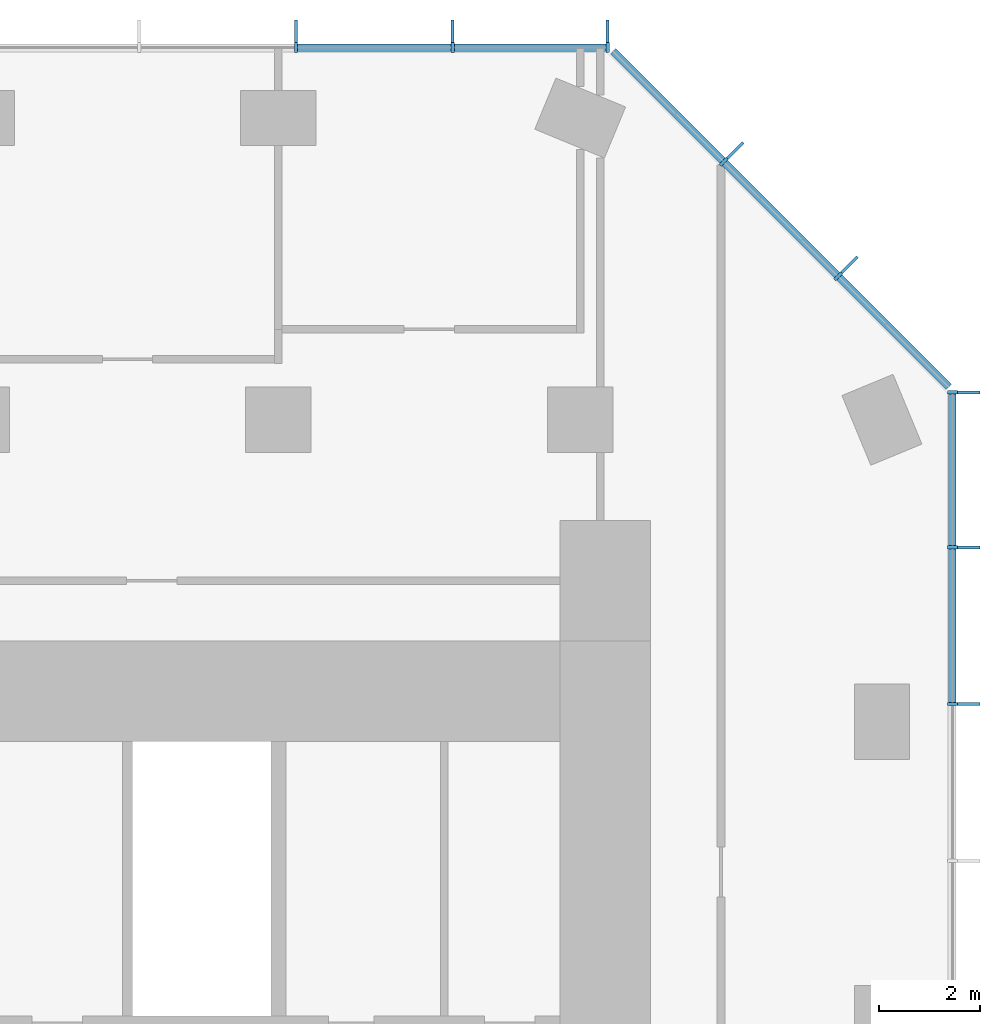
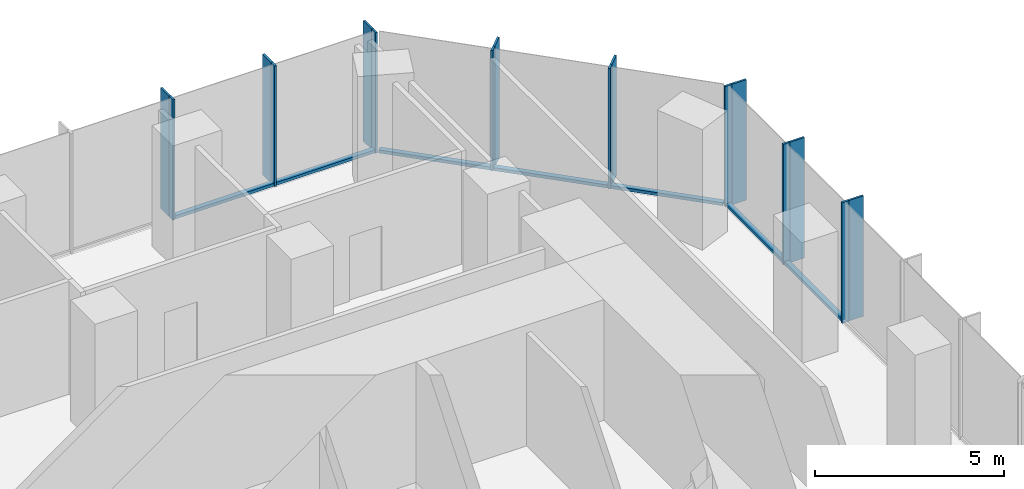
# One storey, part 6 of 11: 23 members, 3 elements without a shape of their own.
"""IFC4 building model written with IfcOpenShell, lengths in metres."""

from ifc_helpers import new_model, si_unit, direction, frame, origin, origin_2d, place, context, subcontext, project, spatial, rectangle, extrude, material, layer, layer_set, material_profile, profile_set, type_object, element, aggregate, save


model = new_model("IFC4")

# Units and contexts
model_context = context("Model", 3, precision=1e-05, world=origin(), true_north=direction((0.0, 1.0)))
body_context = subcontext(model_context, "Body", "Model", "MODEL_VIEW")
ifc_project = project(units=[si_unit("LENGTHUNIT", "METRE"), si_unit("AREAUNIT", "SQUARE_METRE"), si_unit("VOLUMEUNIT", "CUBIC_METRE"), si_unit("PLANEANGLEUNIT", "RADIAN"), si_unit("MASSUNIT", "GRAM", prefix="KILO")], contexts=[model_context])

# Site, building, storey
site_placement = place(None, origin())
site = spatial("IfcSite", under=ifc_project, at=site_placement, CompositionType="ELEMENT")
building_placement = place(site_placement, origin())
building = spatial("IfcBuilding", under=site, at=building_placement, Name="Highveld Stack Headquarters", CompositionType="ELEMENT")
storey_placement = place(building_placement, frame((0.0, 0.0, 216.199951171875)))
storey = spatial("IfcBuildingStorey", under=building, at=storey_placement, Name="L53", CompositionType="ELEMENT", Elevation=216.199951171875)

# Curtain wall, members
ifc_material_1 = material(Name="Aluminium bronze anodised", Category="aluminium")
ifc_layer_1 = layer(ifc_material_1, 0.199951171875)
ifc_layer_set_1 = layer_set([ifc_layer_1], Name="Aluminium bronze anodised")
curtain_wall_type_1 = type_object("IfcCurtainWallType", Name="CW1 TOWER UNITISED CURTAIN WALL", PredefinedType="NOTDEFINED", material=ifc_layer_set_1)
curtain_wall_1_placement = place(storey_placement, origin())
curtain_wall_1 = element("IfcCurtainWall", 1, at=curtain_wall_1_placement, inside=storey, type_object=curtain_wall_type_1, Name="Curtain wall CW1 L53 E", PredefinedType="NOTDEFINED")
ifc_material_2 = material(Name="Aluminium bronze anodised", Category="aluminium")
ifc_material_profile_1 = material_profile(ifc_material_2, rectangle(XDim=0.449951171875, YDim=0.06005859375, at=origin_2d()), Name="FIN 450x60")
ifc_profile_set_1 = profile_set([ifc_material_profile_1], Name="Aluminium bronze anodised")
member_type_1 = type_object("IfcMemberType", Name="CW1 BRONZE FIN 450x60", PredefinedType="USERDEFINED", material=ifc_profile_set_1)
member_1_placement = place(storey_placement, frame((25.72509765625, 12.347900390625, 0.0), z_axis=(0.0, 0.0, 1.0), x_axis=(-1.0, 0.0, 0.0)))
member_1 = element("IfcMember", 2, at=member_1_placement, type_object=member_type_1, Name="CW1 fin L53 9", ObjectType="FIN", PredefinedType="USERDEFINED", context=body_context, shape_type="SweptSolid", body=[
    extrude(rectangle(XDim=0.449951171875, YDim=0.06005859375, at=origin_2d()), origin(), (0.0, 0.0, 1.0), 3.900146484375),
])
member_2_placement = place(storey_placement, frame((25.72509765625, 15.4638671875, 0.0), z_axis=(0.0, 0.0, 1.0), x_axis=(-1.0, 0.0, 0.0)))
member_2 = element("IfcMember", 3, at=member_2_placement, type_object=member_type_1, Name="CW1 fin L53 10", ObjectType="FIN", PredefinedType="USERDEFINED", context=body_context, shape_type="SweptSolid", body=[
    extrude(rectangle(XDim=0.449951171875, YDim=0.06005859375, at=origin_2d()), origin(), (0.0, 0.0, 1.0), 3.900146484375),
])
member_3_placement = place(storey_placement, frame((25.72509765625, 18.54736328125, 0.0), z_axis=(0.0, 0.0, 1.0), x_axis=(-1.0, 0.0, 0.0)))
member_3 = element("IfcMember", 4, at=member_3_placement, type_object=member_type_1, Name="CW1 fin L53 11", ObjectType="FIN", PredefinedType="USERDEFINED", context=body_context, shape_type="SweptSolid", body=[
    extrude(rectangle(XDim=0.449951171875, YDim=0.06005859375, at=origin_2d()), origin(), (0.0, 0.0, 1.0), 3.900146484375),
])

curtain_wall_2_placement = place(storey_placement, origin())
curtain_wall_2 = element("IfcCurtainWall", 5, at=curtain_wall_2_placement, inside=storey, type_object=curtain_wall_type_1, Name="Curtain wall CW1 L53 N", PredefinedType="NOTDEFINED")
member_4_placement = place(storey_placement, frame((18.54736328125, 25.72509765625, 0.0), z_axis=(0.0, 0.0, 1.0), x_axis=(0.0, -1.0, 0.0)))
member_4 = element("IfcMember", 6, at=member_4_placement, type_object=member_type_1, Name="CW1 fin L53 1", ObjectType="FIN", PredefinedType="USERDEFINED", context=body_context, shape_type="SweptSolid", body=[
    extrude(rectangle(XDim=0.449951171875, YDim=0.06005859375, at=origin_2d()), origin(), (0.0, 0.0, 1.0), 3.900146484375),
])
member_5_placement = place(storey_placement, frame((15.4638671875, 25.72509765625, 0.0), z_axis=(0.0, 0.0, 1.0), x_axis=(0.0, -1.0, 0.0)))
member_5 = element("IfcMember", 7, at=member_5_placement, type_object=member_type_1, Name="CW1 fin L53 2", ObjectType="FIN", PredefinedType="USERDEFINED", context=body_context, shape_type="SweptSolid", body=[
    extrude(rectangle(XDim=0.449951171875, YDim=0.06005859375, at=origin_2d()), origin(), (0.0, 0.0, 1.0), 3.900146484375),
])
member_6_placement = place(storey_placement, frame((12.347900390625, 25.72509765625, 0.0), z_axis=(0.0, 0.0, 1.0), x_axis=(0.0, -1.0, 0.0)))
member_6 = element("IfcMember", 8, at=member_6_placement, type_object=member_type_1, Name="CW1 fin L53 3", ObjectType="FIN", PredefinedType="USERDEFINED", context=body_context, shape_type="SweptSolid", body=[
    extrude(rectangle(XDim=0.449951171875, YDim=0.06005859375, at=origin_2d()), origin(), (0.0, 0.0, 1.0), 3.900146484375),
])

# Member
ifc_material_3 = material(Name="Aluminium bronze anodised", Category="aluminium")
ifc_material_profile_2 = material_profile(ifc_material_3, rectangle(XDim=0.199951171875, YDim=0.06494140625, at=origin_2d()), Name="CW1 MULLION 65x200")
ifc_profile_set_2 = profile_set([ifc_material_profile_2], Name="Aluminium bronze anodised")
member_type_2 = type_object("IfcMemberType", Name="CW1 MULLION 65x200", PredefinedType="MULLION", material=ifc_profile_set_2)
member_7_placement = place(storey_placement, frame((25.39990234375, 12.347900390625, 0.0), z_axis=(0.0, 0.0, 1.0), x_axis=(-1.0, 0.0, 0.0)))
member_7 = element("IfcMember", 9, at=member_7_placement, type_object=member_type_2, Name="CW1 mullion L53 9", PredefinedType="MULLION", context=body_context, shape_type="SweptSolid", body=[
    extrude(rectangle(XDim=0.199951171875, YDim=0.06494140625, at=origin_2d()), origin(), (0.0, 0.0, 1.0), 3.900146484375),
])

member_8_placement = place(storey_placement, frame((25.39990234375, 15.4638671875, 0.0), z_axis=(0.0, 0.0, 1.0), x_axis=(-1.0, 0.0, 0.0)))
member_8 = element("IfcMember", 10, at=member_8_placement, type_object=member_type_2, Name="CW1 mullion L53 10", PredefinedType="MULLION", context=body_context, shape_type="SweptSolid", body=[
    extrude(rectangle(XDim=0.199951171875, YDim=0.06494140625, at=origin_2d()), origin(), (0.0, 0.0, 1.0), 3.900146484375),
])

member_9_placement = place(storey_placement, frame((25.39990234375, 18.54736328125, 0.0), z_axis=(0.0, 0.0, 1.0), x_axis=(-1.0, 0.0, 0.0)))
member_9 = element("IfcMember", 11, at=member_9_placement, type_object=member_type_2, Name="CW1 mullion L53 11", PredefinedType="MULLION", context=body_context, shape_type="SweptSolid", body=[
    extrude(rectangle(XDim=0.199951171875, YDim=0.06494140625, at=origin_2d()), origin(), (0.0, 0.0, 1.0), 3.900146484375),
])

member_10_placement = place(storey_placement, frame((18.54736328125, 25.39990234375, 0.0), z_axis=(0.0, 0.0, 1.0), x_axis=(0.0, -1.0, 0.0)))
member_10 = element("IfcMember", 12, at=member_10_placement, type_object=member_type_2, Name="CW1 mullion L53 1", PredefinedType="MULLION", context=body_context, shape_type="SweptSolid", body=[
    extrude(rectangle(XDim=0.199951171875, YDim=0.06494140625, at=origin_2d()), origin(), (0.0, 0.0, 1.0), 3.900146484375),
])

member_11_placement = place(storey_placement, frame((15.4638671875, 25.39990234375, 0.0), z_axis=(0.0, 0.0, 1.0), x_axis=(0.0, -1.0, 0.0)))
member_11 = element("IfcMember", 13, at=member_11_placement, type_object=member_type_2, Name="CW1 mullion L53 2", PredefinedType="MULLION", context=body_context, shape_type="SweptSolid", body=[
    extrude(rectangle(XDim=0.199951171875, YDim=0.06494140625, at=origin_2d()), origin(), (0.0, 0.0, 1.0), 3.900146484375),
])

member_12_placement = place(storey_placement, frame((12.347900390625, 25.39990234375, 0.0), z_axis=(0.0, 0.0, 1.0), x_axis=(0.0, -1.0, 0.0)))
member_12 = element("IfcMember", 14, at=member_12_placement, type_object=member_type_2, Name="CW1 mullion L53 3", PredefinedType="MULLION", context=body_context, shape_type="SweptSolid", body=[
    extrude(rectangle(XDim=0.199951171875, YDim=0.06494140625, at=origin_2d()), origin(), (0.0, 0.0, 1.0), 3.900146484375),
])

ifc_material_4 = material(Name="Aluminium bronze anodised", Category="aluminium")
ifc_material_profile_3 = material_profile(ifc_material_4, rectangle(XDim=0.14990234375, YDim=0.10009765625, at=origin_2d()), Name="CW1 TRANSOM 150x100")
ifc_profile_set_3 = profile_set([ifc_material_profile_3], Name="Aluminium bronze anodised")
member_type_3 = type_object("IfcMemberType", Name="CW1 STACK TRANSOM 150x100", PredefinedType="USERDEFINED", material=ifc_profile_set_3)
member_13_placement = place(storey_placement, frame((25.39990234375, 12.38037109375, 0.050048828125), z_axis=(0.0, 1.0, 0.0), x_axis=(-1.0, 0.0, 0.0)))
member_13 = element("IfcMember", 15, at=member_13_placement, type_object=member_type_3, Name="CW1 transom L53 9.1", ObjectType="TRANSOM", PredefinedType="USERDEFINED", context=body_context, shape_type="SweptSolid", body=[
    extrude(rectangle(XDim=0.14990234375, YDim=0.10009765625, at=origin_2d()), origin(), (0.0, 0.0, 1.0), 3.051025390625),
])

member_14_placement = place(storey_placement, frame((25.39990234375, 15.496337890625, 0.050048828125), z_axis=(0.0, 1.0, 0.0), x_axis=(-1.0, 0.0, 0.0)))
member_14 = element("IfcMember", 16, at=member_14_placement, type_object=member_type_3, Name="CW1 transom L53 10.1", ObjectType="TRANSOM", PredefinedType="USERDEFINED", context=body_context, shape_type="SweptSolid", body=[
    extrude(rectangle(XDim=0.14990234375, YDim=0.10009765625, at=origin_2d()), origin(), (0.0, 0.0, 1.0), 3.0185546875),
])

aggregate(curtain_wall_1, [member_7, member_1, member_8, member_2, member_9, member_3, member_13, member_14])

member_15_placement = place(storey_placement, frame((18.514892578125, 25.39990234375, 0.050048828125), z_axis=(-1.0, 0.0, 0.0), x_axis=(0.0, -1.0, 0.0)))
member_15 = element("IfcMember", 17, at=member_15_placement, type_object=member_type_3, Name="CW1 transom L53 1.1", ObjectType="TRANSOM", PredefinedType="USERDEFINED", context=body_context, shape_type="SweptSolid", body=[
    extrude(rectangle(XDim=0.14990234375, YDim=0.10009765625, at=origin_2d()), origin(), (0.0, 0.0, 1.0), 3.0185546875),
])

member_16_placement = place(storey_placement, frame((15.431396484375, 25.39990234375, 0.050048828125), z_axis=(-1.0, 0.0, 0.0), x_axis=(0.0, -1.0, 0.0)))
member_16 = element("IfcMember", 18, at=member_16_placement, type_object=member_type_3, Name="CW1 transom L53 2.1", ObjectType="TRANSOM", PredefinedType="USERDEFINED", context=body_context, shape_type="SweptSolid", body=[
    extrude(rectangle(XDim=0.14990234375, YDim=0.10009765625, at=origin_2d()), origin(), (0.0, 0.0, 1.0), 3.051025390625),
])

aggregate(curtain_wall_2, [member_10, member_4, member_11, member_5, member_12, member_6, member_15, member_16])

# Curtain wall, members
ifc_material_5 = material(Name="Aluminium bronze anodised", Category="aluminium")
ifc_layer_2 = layer(ifc_material_5, 0.199951171875)
ifc_layer_set_2 = layer_set([ifc_layer_2], Name="Aluminium bronze anodised")
curtain_wall_type_2 = type_object("IfcCurtainWallType", Name="CW2 TOWER CHAMFER UNITISED CURTAIN WALL", PredefinedType="NOTDEFINED", material=ifc_layer_set_2)
curtain_wall_3_placement = place(storey_placement, origin())
curtain_wall_3 = element("IfcCurtainWall", 19, at=curtain_wall_3_placement, inside=storey, type_object=curtain_wall_type_2, Name="Curtain wall CW2 L53 NE", PredefinedType="NOTDEFINED")
ifc_material_6 = material(Name="Aluminium bronze anodised", Category="aluminium")
ifc_material_profile_4 = material_profile(ifc_material_6, rectangle(XDim=0.449951171875, YDim=0.06005859375, at=origin_2d()), Name="FIN 450x60")
ifc_profile_set_4 = profile_set([ifc_material_profile_4], Name="Aluminium bronze anodised")
member_type_4 = type_object("IfcMemberType", Name="CW2 BRONZE FIN 450x60", PredefinedType="USERDEFINED", material=ifc_profile_set_4)
member_17_placement = place(storey_placement, frame((23.3564453125, 21.0830078125, 0.0), z_axis=(0.0, 0.0, 1.0), x_axis=(-0.707106781187, -0.707106781187, 0.0)))
member_17 = element("IfcMember", 20, at=member_17_placement, type_object=member_type_4, Name="CW2 fin L53 1", ObjectType="FIN", PredefinedType="USERDEFINED", context=body_context, shape_type="SweptSolid", body=[
    extrude(rectangle(XDim=0.449951171875, YDim=0.06005859375, at=origin_2d()), origin(), (0.0, 0.0, 1.0), 3.900146484375),
])
member_18_placement = place(storey_placement, frame((21.0830078125, 23.3564453125, 0.0), z_axis=(0.0, 0.0, 1.0), x_axis=(-0.707106781187, -0.707106781187, 0.0)))
member_18 = element("IfcMember", 21, at=member_18_placement, type_object=member_type_4, Name="CW2 fin L53 2", ObjectType="FIN", PredefinedType="USERDEFINED", context=body_context, shape_type="SweptSolid", body=[
    extrude(rectangle(XDim=0.449951171875, YDim=0.06005859375, at=origin_2d()), origin(), (0.0, 0.0, 1.0), 3.900146484375),
])
ifc_material_7 = material(Name="Aluminium bronze anodised", Category="aluminium")
ifc_material_profile_5 = material_profile(ifc_material_7, rectangle(XDim=0.199951171875, YDim=0.06494140625, at=origin_2d()), Name="CW2 MULLION 65x200")
ifc_profile_set_5 = profile_set([ifc_material_profile_5], Name="Aluminium bronze anodised")
member_type_5 = type_object("IfcMemberType", Name="CW2 MULLION 65x200", PredefinedType="MULLION", material=ifc_profile_set_5)
member_19_placement = place(storey_placement, frame((23.126708984375, 20.853271484375, 0.0), z_axis=(0.0, 0.0, 1.0), x_axis=(-0.707106781187, -0.707106781187, 0.0)))
member_19 = element("IfcMember", 22, at=member_19_placement, type_object=member_type_5, Name="CW2 mullion L53 1", PredefinedType="MULLION", context=body_context, shape_type="SweptSolid", body=[
    extrude(rectangle(XDim=0.199951171875, YDim=0.06494140625, at=origin_2d()), origin(), (0.0, 0.0, 1.0), 3.900146484375),
])
member_20_placement = place(storey_placement, frame((20.853271484375, 23.126708984375, 0.0), z_axis=(0.0, 0.0, 1.0), x_axis=(-0.707106781187, -0.707106781187, 0.0)))
member_20 = element("IfcMember", 23, at=member_20_placement, type_object=member_type_5, Name="CW2 mullion L53 2", PredefinedType="MULLION", context=body_context, shape_type="SweptSolid", body=[
    extrude(rectangle(XDim=0.199951171875, YDim=0.06494140625, at=origin_2d()), origin(), (0.0, 0.0, 1.0), 3.900146484375),
])
ifc_material_8 = material(Name="Aluminium bronze anodised", Category="aluminium")
ifc_material_profile_6 = material_profile(ifc_material_8, rectangle(XDim=0.14990234375, YDim=0.10009765625, at=origin_2d()), Name="CW2 TRANSOM 150x100")
ifc_profile_set_6 = profile_set([ifc_material_profile_6], Name="Aluminium bronze anodised")
member_type_6 = type_object("IfcMemberType", Name="CW2 STACK TRANSOM 150x100", PredefinedType="USERDEFINED", material=ifc_profile_set_6)
member_21_placement = place(storey_placement, frame((25.329345703125, 18.650634765625, 0.050048828125), z_axis=(-0.707106781187, 0.707106781187, 0.0), x_axis=(-0.707106781187, -0.707106781187, 0.0)))
member_21 = element("IfcMember", 24, at=member_21_placement, type_object=member_type_6, Name="CW2 transom L53 1.1", ObjectType="TRANSOM", PredefinedType="USERDEFINED", context=body_context, shape_type="SweptSolid", body=[
    extrude(rectangle(XDim=0.14990234375, YDim=0.10009765625, at=origin_2d()), origin(), (0.0, 0.0, 1.0), 3.08251953125),
])
member_22_placement = place(storey_placement, frame((23.103759765625, 20.876220703125, 0.050048828125), z_axis=(-0.707106781187, 0.707106781187, 0.0), x_axis=(-0.707106781187, -0.707106781187, 0.0)))
member_22 = element("IfcMember", 25, at=member_22_placement, type_object=member_type_6, Name="CW2 transom L53 2.1", ObjectType="TRANSOM", PredefinedType="USERDEFINED", context=body_context, shape_type="SweptSolid", body=[
    extrude(rectangle(XDim=0.14990234375, YDim=0.10009765625, at=origin_2d()), origin(), (0.0, 0.0, 1.0), 3.150146484375),
])
member_23_placement = place(storey_placement, frame((20.830322265625, 23.149658203125, 0.050048828125), z_axis=(-0.707106781187, 0.707106781187, 0.0), x_axis=(-0.707106781187, -0.707106781187, 0.0)))
member_23 = element("IfcMember", 26, at=member_23_placement, type_object=member_type_6, Name="CW2 transom L53 3.1", ObjectType="TRANSOM", PredefinedType="USERDEFINED", context=body_context, shape_type="SweptSolid", body=[
    extrude(rectangle(XDim=0.14990234375, YDim=0.10009765625, at=origin_2d()), origin(), (0.0, 0.0, 1.0), 3.08251953125),
])
aggregate(curtain_wall_3, [member_19, member_17, member_20, member_18, member_21, member_22, member_23])

save(model, "model.ifc")
